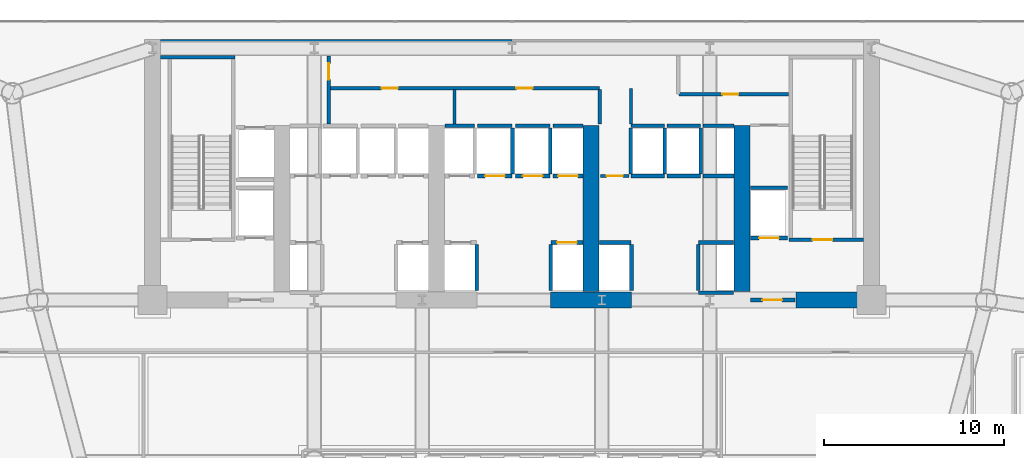
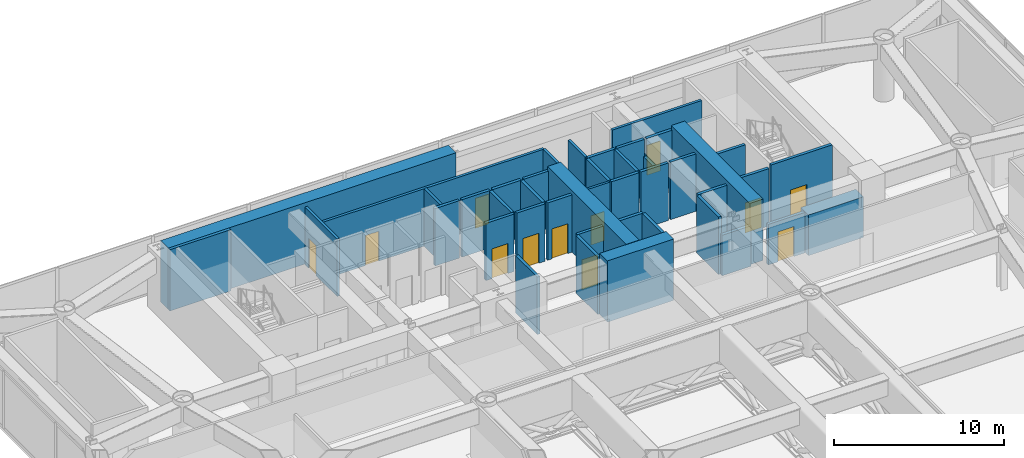
# One storey, part 16 of 21: 43 walls, 12 doors, 12 openings.
"""IFC4 building model written with IfcOpenShell, lengths in metres."""

from ifc_helpers import new_model, si_unit, direction, frame, frame_2d, origin, place, context, subcontext, project, spatial, rectangle, extrude, source, transform, mapped, material, layer, layer_set, type_object, element, fill, save


model = new_model("IFC4")

# Units and contexts
model_context = context("Model", 3, precision=1e-05, world=origin(), true_north=direction((0.0, 1.0)))
body_context = subcontext(model_context, "Body", "Model", "MODEL_VIEW")
ifc_project = project(units=[si_unit("LENGTHUNIT", "METRE"), si_unit("AREAUNIT", "SQUARE_METRE"), si_unit("VOLUMEUNIT", "CUBIC_METRE"), si_unit("PLANEANGLEUNIT", "RADIAN"), si_unit("MASSUNIT", "GRAM", prefix="KILO")], contexts=[model_context])

# Site, building, storey
site_placement = place(None, origin())
site = spatial("IfcSite", under=ifc_project, at=site_placement, CompositionType="ELEMENT")
building_placement = place(site_placement, origin())
building = spatial("IfcBuilding", under=site, at=building_placement, Name="Vaeldorn Concourse Tower", CompositionType="ELEMENT")
storey_placement = place(building_placement, frame((0.0, 0.0, 14.39990234375)))
storey = spatial("IfcBuildingStorey", under=building, at=storey_placement, Name="L03", CompositionType="ELEMENT", Elevation=14.39990234375)

# Walls
ifc_material_1 = material(Name="Concrete C60/75", Category="concrete")
ifc_layer_1 = layer(ifc_material_1, 0.89990234375)
ifc_layer_set_1 = layer_set([ifc_layer_1], Name="Concrete C60/75")
wall_type_1 = type_object("IfcWallType", Name="WL-CORE-900", PredefinedType="SHEAR", material=ifc_layer_set_1)
wall_1_placement = place(storey_placement, frame((14.4541015625, 50.550048828125, 0.0), z_axis=(0.0, 0.0, 1.0), x_axis=(1.0, 0.0, 0.0)))
element("IfcWall", 1, at=wall_1_placement, inside=storey, type_object=wall_type_1, Name="Rear Core Shear Wall L03 N1", PredefinedType="SHEAR", context=body_context, shape_type="SweptSolid", body=[
    extrude(rectangle(XDim=19.5439453125, YDim=0.89990234375, at=frame_2d((9.77197265625, 0.0))), origin(), (0.0, 0.0, 1.0), 4.400146484375),
])
wall_2_placement = place(storey_placement, frame((36.14990234375, 36.5, 0.0), z_axis=(0.0, 0.0, 1.0), x_axis=(1.0, 0.0, 0.0)))
element("IfcWall", 2, at=wall_2_placement, inside=storey, type_object=wall_type_1, Name="Rear Core Shear Wall L03 S3", PredefinedType="SHEAR", context=body_context, shape_type="SweptSolid", body=[
    extrude(rectangle(XDim=4.5, YDim=0.89990234375, at=frame_2d((2.25, 0.0))), origin(), (0.0, 0.0, 1.0), 4.400146484375),
])
wall_3_placement = place(storey_placement, frame((49.800048828125, 36.5, 0.0), z_axis=(0.0, 0.0, 1.0), x_axis=(1.0, 0.0, 0.0)))
element("IfcWall", 3, at=wall_3_placement, inside=storey, type_object=wall_type_1, Name="Rear Core Shear Wall L03 S4", PredefinedType="SHEAR", context=body_context, shape_type="SweptSolid", body=[
    extrude(rectangle(XDim=3.72998046875, YDim=0.89990234375, at=frame_2d((1.864990234375, 0.0))), origin(), (0.0, 0.0, 1.0), 2.920166015625),
])
for number, where, z_axis, x_axis, name in (
    (4, (38.39990234375, 36.969970703125, 0.0), (0.0, 0.0, 1.0), (0.0, 1.0, 0.0), "Rear Core Shear Wall L03 M3"),
    (5, (46.800048828125, 36.969970703125, 0.0), (0.0, 0.0, 1.0), (0.0, 1.0, 0.0), "Rear Core Shear Wall L03 M4"),
):
    element("IfcWall", number, at=place(storey_placement, frame(where, z_axis=z_axis, x_axis=x_axis)), inside=storey, type_object=wall_type_1, Name=name, PredefinedType="SHEAR", context=body_context, shape_type="SweptSolid", body=[
        extrude(rectangle(XDim=9.22998046875, YDim=0.89990234375, at=frame_2d((4.614990234375, 0.0))), origin(), (0.0, 0.0, 1.0), 4.400146484375),
    ])

# Wall, opening, door
ifc_material_2 = material(Name="Gypsum Board Partition", Category="gypsum")
ifc_layer_2 = layer(ifc_material_2, 0.14990234375)
ifc_layer_set_2 = layer_set([ifc_layer_2], Name="Gypsum Board Partition")
wall_type_2 = type_object("IfcWallType", Name="WL-PART-150", PredefinedType="PARTITIONING", material=ifc_layer_set_2)
wall_4_placement = place(storey_placement, frame((38.919921875, 43.39990234375, 0.0), z_axis=(0.0, 0.0, 1.0), x_axis=(1.0, 0.0, 0.0)))
wall_4 = element("IfcWall", 6, at=wall_4_placement, inside=storey, type_object=wall_type_2, Name="Interior Wall CW-L03-CCLINK", PredefinedType="PARTITIONING", context=body_context, shape_type="SweptSolid", body=[
    extrude(rectangle(XDim=1.60009765625, YDim=0.14990234375, at=frame_2d((0.800048828125, 0.0))), origin(), (0.0, 0.0, 1.0), 4.1201171875),
])
opening_1_placement = place(wall_4_placement, frame((0.35009765625, 0.0, 0.0)))
opening_1 = element("IfcOpeningElement", 7, at=opening_1_placement, cuts=wall_4, Name="Opening D-02", PredefinedType="OPENING", context=body_context, shape_type="SweptSolid", body=[
    extrude(rectangle(XDim=0.89990234375, YDim=2.10009765625, at=frame_2d((0.449951171875, 1.050048828125))), frame((0.0, 0.0849609375, 0.0), z_axis=(0.0, -1.0, 0.0), x_axis=(1.0, 0.0, 0.0)), (0.0, 0.0, 1.0), 0.169921875),
])
ifc_material_3 = material(Name="Fire-Rated Timber Leaf", Category="wood")
door_type_1 = type_object("IfcDoorType", Name="DR-FD30-900", OperationType="NOTDEFINED", PredefinedType="DOOR", material=ifc_material_3)
shared_shape_1 = source(origin(), body_context, "Body", "SweptSolid", [
    extrude(rectangle(XDim=0.89990234375, YDim=2.10009765625, at=frame_2d((0.449951171875, 1.050048828125))), frame((0.0, 0.02490234375, 0.0), z_axis=(0.0, -1.0, 0.0), x_axis=(1.0, 0.0, 0.0)), (0.0, 0.0, 1.0), 0.050048828125),
])
door_1_placement = place(opening_1_placement, origin())
door_1 = element("IfcDoor", 8, at=door_1_placement, inside=storey, type_object=door_type_1, Name="Interior Door DR-L03-CCLINK", OperationType="SINGLE_SWING_LEFT", OverallHeight=2.10009765625, OverallWidth=0.89990234375, PredefinedType="DOOR", context=body_context, shape_type="MappedRepresentation", body=[
    mapped(shared_shape_1, transform((0.0, 0.0, 0.0), scale=1.0)),
])
fill(opening_1, door_1)

# Wall, openings, doors
ifc_layer_3 = layer(ifc_material_2, 0.179931640625)
ifc_layer_set_3 = layer_set([ifc_layer_3], Name="Gypsum Board Partition")
wall_type_3 = type_object("IfcWallType", Name="WL-PLUMB-180", PredefinedType="PLUMBINGWALL", material=ifc_layer_set_3)
wall_5_placement = place(storey_placement, frame((23.85009765625, 48.280029296875, 0.0), z_axis=(0.0, 0.0, 1.0), x_axis=(1.0, 0.0, 0.0)))
wall_5 = element("IfcWall", 9, at=wall_5_placement, inside=storey, type_object=wall_type_3, Name="Interior Wall CW-L03-NS2W", PredefinedType="PLUMBINGWALL", context=body_context, shape_type="SweptSolid", body=[
    extrude(rectangle(XDim=15.02978515625, YDim=0.179931640625, at=frame_2d((7.514892578125, 0.0))), origin(), (0.0, 0.0, 1.0), 4.1201171875),
])
opening_2_placement = place(wall_5_placement, frame((2.89990234375, 0.0, 0.0)))
opening_2 = element("IfcOpeningElement", 10, at=opening_2_placement, cuts=wall_5, Name="Opening D-03", PredefinedType="OPENING", context=body_context, shape_type="SweptSolid", body=[
    extrude(rectangle(XDim=0.89990234375, YDim=2.14990234375, at=frame_2d((0.449951171875, 1.074951171875))), frame((0.0, 0.10009765625, 0.0), z_axis=(0.0, -1.0, 0.0), x_axis=(1.0, 0.0, 0.0)), (0.0, 0.0, 1.0), 0.199951171875),
])
opening_3_placement = place(wall_5_placement, frame((10.39990234375, 0.0, 0.0)))
opening_3 = element("IfcOpeningElement", 11, at=opening_3_placement, cuts=wall_5, Name="Opening D-03", PredefinedType="OPENING", context=body_context, shape_type="SweptSolid", body=[
    extrude(rectangle(XDim=0.89990234375, YDim=2.14990234375, at=frame_2d((0.449951171875, 1.074951171875))), frame((0.0, 0.10009765625, 0.0), z_axis=(0.0, -1.0, 0.0), x_axis=(1.0, 0.0, 0.0)), (0.0, 0.0, 1.0), 0.199951171875),
])
ifc_material_4 = material(Name="Acoustic Bronze-Framed Glass Door", Category="glass")
door_type_2 = type_object("IfcDoorType", Name="DR-INT-900", OperationType="NOTDEFINED", PredefinedType="DOOR", material=ifc_material_4)
shared_shape_2 = source(origin(), body_context, "Body", "SweptSolid", [
    extrude(rectangle(XDim=0.89990234375, YDim=2.14990234375, at=frame_2d((0.449951171875, 1.074951171875))), frame((0.0, 0.02490234375, 0.0), z_axis=(0.0, -1.0, 0.0), x_axis=(1.0, 0.0, 0.0)), (0.0, 0.0, 1.0), 0.050048828125),
])
door_2_placement = place(opening_2_placement, origin())
door_2 = element("IfcDoor", 12, at=door_2_placement, inside=storey, type_object=door_type_2, Name="Interior Door DR-L03-CS2", OperationType="SINGLE_SWING_RIGHT", OverallHeight=2.14990234375, OverallWidth=0.89990234375, PredefinedType="DOOR", context=body_context, shape_type="MappedRepresentation", body=[
    mapped(shared_shape_2, transform((0.0, 0.0, 0.0), scale=1.0)),
])
fill(opening_2, door_2)
door_3_placement = place(opening_3_placement, origin())
door_3 = element("IfcDoor", 13, at=door_3_placement, inside=storey, type_object=door_type_2, Name="Interior Door DR-L03-CS3", OperationType="SINGLE_SWING_LEFT", OverallHeight=2.14990234375, OverallWidth=0.89990234375, PredefinedType="DOOR", context=body_context, shape_type="MappedRepresentation", body=[
    mapped(shared_shape_2, transform((0.0, 0.0, 0.0), scale=1.0)),
])
fill(opening_3, door_3)

# Wall, opening, door
wall_6_placement = place(storey_placement, frame((23.800048828125, 46.280029296875, 0.0), z_axis=(0.0, 0.0, 1.0), x_axis=(0.0, 1.0, 0.0)))
wall_6 = element("IfcWall", 14, at=wall_6_placement, inside=storey, type_object=wall_type_3, Name="Interior Wall CW-L03-SDIV1", PredefinedType="PLUMBINGWALL", context=body_context, shape_type="SweptSolid", body=[
    extrude(rectangle(XDim=3.800048828125, YDim=0.179931640625, at=frame_2d((1.89990234375, 0.0))), origin(), (0.0, 0.0, 1.0), 4.1201171875),
])
opening_4_placement = place(wall_6_placement, frame((2.485107421875, 0.0, 0.0)))
opening_4 = element("IfcOpeningElement", 15, at=opening_4_placement, cuts=wall_6, Name="Opening D-03", PredefinedType="OPENING", context=body_context, shape_type="SweptSolid", body=[
    extrude(rectangle(XDim=0.89990234375, YDim=2.14990234375, at=frame_2d((0.449951171875, 1.074951171875))), frame((0.0, 0.10009765625, 0.0), z_axis=(0.0, -1.0, 0.0), x_axis=(1.0, 0.0, 0.0)), (0.0, 0.0, 1.0), 0.199951171875),
])
door_4_placement = place(opening_4_placement, origin())
door_4 = element("IfcDoor", 16, at=door_4_placement, inside=storey, type_object=door_type_2, Name="Interior Door DR-L03-CS1", OperationType="SINGLE_SWING_LEFT", OverallHeight=2.14990234375, OverallWidth=0.89990234375, PredefinedType="DOOR", context=body_context, shape_type="MappedRepresentation", body=[
    mapped(shared_shape_2, transform((0.0, 0.0, 0.0), scale=1.0)),
])
fill(opening_4, door_4)

# Walls
for number, where, z_axis, x_axis, name in (
    (17, (30.800048828125, 46.280029296875, 0.0), (0.0, 0.0, 1.0), (0.0, 1.0, 0.0), "Interior Wall CW-L03-SDIV2"),
    (18, (38.8798828125, 46.280029296875, 0.0), (0.0, 0.0, 1.0), (0.0, 1.0, 0.0), "Interior Wall CW-L03-SDIV4"),
):
    element("IfcWall", number, at=place(storey_placement, frame(where, z_axis=z_axis, x_axis=x_axis)), inside=storey, type_object=wall_type_3, Name=name, PredefinedType="PLUMBINGWALL", context=body_context, shape_type="SweptSolid", body=[
        extrude(rectangle(XDim=1.93994140625, YDim=0.179931640625, at=frame_2d((0.969970703125, 0.0))), origin(), (0.0, 0.0, 1.0), 4.1201171875),
    ])
wall_7_placement = place(storey_placement, frame((40.6201171875, 46.280029296875, 0.0), z_axis=(0.0, 0.0, 1.0), x_axis=(0.0, 1.0, 0.0)))
element("IfcWall", 19, at=wall_7_placement, inside=storey, type_object=wall_type_3, Name="Interior Wall CW-L03-SDIV5", PredefinedType="PLUMBINGWALL", context=body_context, shape_type="SweptSolid", body=[
    extrude(rectangle(XDim=2.0, YDim=0.179931640625, at=frame_2d((1.0, 0.0))), origin(), (0.0, 0.0, 1.0), 4.1201171875),
])

# Wall, opening, door
wall_8_placement = place(storey_placement, frame((43.300048828125, 47.949951171875, 0.0), z_axis=(0.0, 0.0, 1.0), x_axis=(1.0, 0.0, 0.0)))
wall_8 = element("IfcWall", 20, at=wall_8_placement, inside=storey, type_object=wall_type_3, Name="Interior Wall CW-L03-NS2EE", PredefinedType="PLUMBINGWALL", context=body_context, shape_type="SweptSolid", body=[
    extrude(rectangle(XDim=6.079833984375, YDim=0.179931640625, at=frame_2d((3.0400390625, 0.0))), origin(), (0.0, 0.0, 1.0), 4.1201171875),
])
opening_5_placement = place(wall_8_placement, frame((2.39990234375, 0.0, 0.0)))
opening_5 = element("IfcOpeningElement", 21, at=opening_5_placement, cuts=wall_8, Name="Opening D-03", PredefinedType="OPENING", context=body_context, shape_type="SweptSolid", body=[
    extrude(rectangle(XDim=0.89990234375, YDim=2.14990234375, at=frame_2d((0.449951171875, 1.074951171875))), frame((0.0, 0.10009765625, 0.0), z_axis=(0.0, -1.0, 0.0), x_axis=(1.0, 0.0, 0.0)), (0.0, 0.0, 1.0), 0.199951171875),
])
door_5_placement = place(opening_5_placement, origin())
door_5 = element("IfcDoor", 22, at=door_5_placement, inside=storey, type_object=door_type_2, Name="Interior Door DR-L03-CS5", OperationType="SINGLE_SWING_RIGHT", OverallHeight=2.14990234375, OverallWidth=0.89990234375, PredefinedType="DOOR", context=body_context, shape_type="MappedRepresentation", body=[
    mapped(shared_shape_2, transform((0.0, 0.0, 0.0), scale=1.0)),
])
fill(opening_5, door_5)

# Wall
ifc_material_5 = material(Name="Concrete C50/60", Category="concrete")
ifc_layer_4 = layer(ifc_material_5, 0.199951171875)
ifc_layer_set_4 = layer_set([ifc_layer_4], Name="Concrete C50/60")
wall_type_4 = type_object("IfcWallType", Name="WL-SHAFT-200", PredefinedType="SOLIDWALL", material=ifc_layer_set_4)
wall_9_placement = place(storey_placement, frame((14.449951171875, 50.0, 0.0), z_axis=(0.0, 0.0, 1.0), x_axis=(1.0, 0.0, 0.0)))
element("IfcWall", 23, at=wall_9_placement, inside=storey, type_object=wall_type_4, Name="Stair Shaft Wall CW-L03-ST-1-N", PredefinedType="SOLIDWALL", context=body_context, shape_type="SweptSolid", body=[
    extrude(rectangle(XDim=4.150146484375, YDim=0.199951171875, at=frame_2d((2.0751953125, 0.0))), origin(), (0.0, 0.0, 1.0), 4.400146484375),
])

# Wall, opening, door
wall_10_placement = place(storey_placement, frame((49.39990234375, 39.85009765625, 0.0), z_axis=(0.0, 0.0, 1.0), x_axis=(1.0, 0.0, 0.0)))
wall_10 = element("IfcWall", 24, at=wall_10_placement, inside=storey, type_object=wall_type_4, Name="Stair Shaft Wall CW-L03-ST-2-S", PredefinedType="SOLIDWALL", context=body_context, shape_type="SweptSolid", body=[
    extrude(rectangle(XDim=4.150146484375, YDim=0.199951171875, at=frame_2d((2.0751953125, 0.0))), origin(), (0.0, 0.0, 1.0), 4.400146484375),
])
opening_6_placement = place(wall_10_placement, frame((1.324951171875, 0.0, 0.0)))
opening_6 = element("IfcOpeningElement", 25, at=opening_6_placement, cuts=wall_10, Name="Opening D-01", PredefinedType="OPENING", context=body_context, shape_type="SweptSolid", body=[
    extrude(rectangle(XDim=1.10009765625, YDim=2.14990234375, at=frame_2d((0.550048828125, 1.074951171875))), frame((0.0, 0.10986328125, 0.0), z_axis=(0.0, -1.0, 0.0), x_axis=(1.0, 0.0, 0.0)), (0.0, 0.0, 1.0), 0.219970703125),
])
ifc_material_6 = material(Name="Fire-Rated Timber and Steel Leaf", Category="steel")
door_type_3 = type_object("IfcDoorType", Name="DR-FD60-1100", OperationType="NOTDEFINED", PredefinedType="DOOR", material=ifc_material_6)
shared_shape_3 = source(origin(), body_context, "Body", "SweptSolid", [
    extrude(rectangle(XDim=1.10009765625, YDim=2.14990234375, at=frame_2d((0.550048828125, 1.074951171875))), frame((0.0, 0.02490234375, 0.0), z_axis=(0.0, -1.0, 0.0), x_axis=(1.0, 0.0, 0.0)), (0.0, 0.0, 1.0), 0.050048828125),
])
door_6_placement = place(opening_6_placement, origin())
door_6 = element("IfcDoor", 26, at=door_6_placement, inside=storey, type_object=door_type_3, Name="Interior Door DR-L03-ST-2", OperationType="SINGLE_SWING_RIGHT", OverallHeight=2.14990234375, OverallWidth=1.10009765625, PredefinedType="DOOR", context=body_context, shape_type="MappedRepresentation", body=[
    mapped(shared_shape_3, transform((0.0, 0.0, 0.0), scale=1.0)),
])
fill(opening_6, door_6)

wall_11_placement = place(storey_placement, frame((47.280029296875, 36.5, 0.0), z_axis=(0.0, 0.0, 1.0), x_axis=(1.0, 0.0, 0.0)))
wall_11 = element("IfcWall", 27, at=wall_11_placement, inside=storey, type_object=wall_type_4, Name="Interior Wall CW-L03-FF2S", PredefinedType="SOLIDWALL", context=body_context, shape_type="SweptSolid", body=[
    extrude(rectangle(XDim=2.469970703125, YDim=0.199951171875, at=frame_2d((1.23486328125, 0.0))), origin(), (0.0, 0.0, 1.0), 2.91015625),
])
opening_7_placement = place(wall_11_placement, frame((0.64990234375, 0.0, 0.0)))
opening_7 = element("IfcOpeningElement", 28, at=opening_7_placement, cuts=wall_11, Name="Opening D-01", PredefinedType="OPENING", context=body_context, shape_type="SweptSolid", body=[
    extrude(rectangle(XDim=1.10009765625, YDim=2.14990234375, at=frame_2d((0.550048828125, 1.074951171875))), frame((0.0, 0.10986328125, 0.0), z_axis=(0.0, -1.0, 0.0), x_axis=(1.0, 0.0, 0.0)), (0.0, 0.0, 1.0), 0.219970703125),
])
door_7_placement = place(opening_7_placement, origin())
door_7 = element("IfcDoor", 29, at=door_7_placement, inside=storey, type_object=door_type_3, Name="Interior Door DR-L03-FF2W", OperationType="SINGLE_SWING_LEFT", OverallHeight=2.14990234375, OverallWidth=1.10009765625, PredefinedType="DOOR", context=body_context, shape_type="MappedRepresentation", body=[
    mapped(shared_shape_3, transform((0.0, 0.0, 0.0), scale=1.0)),
])
fill(opening_7, door_7)

# Wall
wall_12_placement = place(storey_placement, frame((32.050048828125, 37.02001953125, 0.0), z_axis=(0.0, 0.0, 1.0), x_axis=(0.0, 1.0, 0.0)))
element("IfcWall", 30, at=wall_12_placement, inside=storey, type_object=wall_type_4, Name="Interior Wall CW-L03-LFE-LF-07", PredefinedType="SOLIDWALL", context=body_context, shape_type="SweptSolid", body=[
    extrude(rectangle(XDim=2.56005859375, YDim=0.199951171875, at=frame_2d((1.280029296875, 0.0))), origin(), (0.0, 0.0, 1.0), 4.1201171875),
])

# Wall, opening, door
wall_13_placement = place(storey_placement, frame((36.169921875, 39.699951171875, 0.0), z_axis=(0.0, 0.0, 1.0), x_axis=(1.0, 0.0, 0.0)))
wall_13 = element("IfcWall", 31, at=wall_13_placement, inside=storey, type_object=wall_type_4, Name="Interior Wall CW-L03-LF-LF-08", PredefinedType="SOLIDWALL", context=body_context, shape_type="SweptSolid", body=[
    extrude(rectangle(XDim=1.77001953125, YDim=0.199951171875, at=frame_2d((0.885009765625, 0.0))), origin(), (0.0, 0.0, 1.0), 4.1201171875),
])
opening_8_placement = place(wall_13_placement, frame((0.3349609375, 0.0, 0.0)))
opening_8 = element("IfcOpeningElement", 32, at=opening_8_placement, cuts=wall_13, Name="Opening LD-1", PredefinedType="OPENING", context=body_context, shape_type="SweptSolid", body=[
    extrude(rectangle(XDim=1.10009765625, YDim=2.14990234375, at=frame_2d((0.550048828125, 1.074951171875))), frame((0.0, 0.10986328125, 0.0), z_axis=(0.0, -1.0, 0.0), x_axis=(1.0, 0.0, 0.0)), (0.0, 0.0, 1.0), 0.219970703125),
])
ifc_material_7 = material(Name="Anodised Bronze Aluminium", Category="aluminium")
door_type_4 = type_object("IfcDoorType", Name="DR-LIFT-SLIDE-1100", OperationType="DOUBLE_DOOR_SLIDING", PredefinedType="DOOR", material=ifc_material_7)
door_8_placement = place(opening_8_placement, origin())
door_8 = element("IfcDoor", 33, at=door_8_placement, inside=storey, type_object=door_type_4, Name="Lift Landing Door LD-L03-LF-08", OperationType="DOUBLE_DOOR_SLIDING", OverallHeight=2.14990234375, OverallWidth=1.10009765625, PredefinedType="DOOR", context=body_context, shape_type="MappedRepresentation", body=[
    mapped(shared_shape_3, transform((0.0, 0.0, 0.0), scale=1.0)),
])
fill(opening_8, door_8)

# Walls
wall_14_placement = place(storey_placement, frame((36.14990234375, 37.02001953125, 0.0), z_axis=(0.0, 0.0, 1.0), x_axis=(0.0, 1.0, 0.0)))
element("IfcWall", 34, at=wall_14_placement, inside=storey, type_object=wall_type_4, Name="Interior Wall CW-L03-LFW-LF-08", PredefinedType="SOLIDWALL", context=body_context, shape_type="SweptSolid", body=[
    extrude(rectangle(XDim=2.56005859375, YDim=0.199951171875, at=frame_2d((1.280029296875, 0.0))), origin(), (0.0, 0.0, 1.0), 4.1201171875),
])
wall_15_placement = place(storey_placement, frame((30.260009765625, 46.199951171875, 0.0), z_axis=(0.0, 0.0, 1.0), x_axis=(1.0, 0.0, 0.0)))
element("IfcWall", 35, at=wall_15_placement, inside=storey, type_object=wall_type_4, Name="Interior Wall CW-L03-LFB-LF-09", PredefinedType="SOLIDWALL", context=body_context, shape_type="SweptSolid", body=[
    extrude(rectangle(XDim=1.64990234375, YDim=0.199951171875, at=frame_2d((0.824951171875, 0.0))), origin(), (0.0, 0.0, 1.0), 4.1201171875),
])

# Wall, opening, door
wall_16_placement = place(storey_placement, frame((32.090087890625, 43.39990234375, 0.0), z_axis=(0.0, 0.0, 1.0), x_axis=(1.0, 0.0, 0.0)))
wall_16 = element("IfcWall", 36, at=wall_16_placement, inside=storey, type_object=wall_type_4, Name="Interior Wall CW-L03-LF-LF-10", PredefinedType="SOLIDWALL", context=body_context, shape_type="SweptSolid", body=[
    extrude(rectangle(XDim=1.919921875, YDim=0.199951171875, at=frame_2d((0.9599609375, 0.0))), origin(), (0.0, 0.0, 1.0), 4.1201171875),
])
opening_9_placement = place(wall_16_placement, frame((0.409912109375, 0.0, 0.0)))
opening_9 = element("IfcOpeningElement", 37, at=opening_9_placement, cuts=wall_16, Name="Opening LD-1", PredefinedType="OPENING", context=body_context, shape_type="SweptSolid", body=[
    extrude(rectangle(XDim=1.10009765625, YDim=2.14990234375, at=frame_2d((0.550048828125, 1.074951171875))), frame((0.0, 0.10986328125, 0.0), z_axis=(0.0, -1.0, 0.0), x_axis=(1.0, 0.0, 0.0)), (0.0, 0.0, 1.0), 0.219970703125),
])
door_9_placement = place(opening_9_placement, origin())
door_9 = element("IfcDoor", 38, at=door_9_placement, inside=storey, type_object=door_type_4, Name="Lift Landing Door LD-L03-LF-10", OperationType="DOUBLE_DOOR_SLIDING", OverallHeight=2.14990234375, OverallWidth=1.10009765625, PredefinedType="DOOR", context=body_context, shape_type="MappedRepresentation", body=[
    mapped(shared_shape_3, transform((0.0, 0.0, 0.0), scale=1.0)),
])
fill(opening_9, door_9)

# Walls
wall_17_placement = place(storey_placement, frame((32.090087890625, 46.199951171875, 0.0), z_axis=(0.0, 0.0, 1.0), x_axis=(1.0, 0.0, 0.0)))
element("IfcWall", 39, at=wall_17_placement, inside=storey, type_object=wall_type_4, Name="Interior Wall CW-L03-LFB-LF-10", PredefinedType="SOLIDWALL", context=body_context, shape_type="SweptSolid", body=[
    extrude(rectangle(XDim=1.919921875, YDim=0.199951171875, at=frame_2d((0.9599609375, 0.0))), origin(), (0.0, 0.0, 1.0), 4.1201171875),
])
wall_18_placement = place(storey_placement, frame((34.030029296875, 43.52001953125, 0.0), z_axis=(0.0, 0.0, 1.0), x_axis=(0.0, 1.0, 0.0)))
element("IfcWall", 40, at=wall_18_placement, inside=storey, type_object=wall_type_4, Name="Interior Wall CW-L03-LFE-LF-10", PredefinedType="SOLIDWALL", context=body_context, shape_type="SweptSolid", body=[
    extrude(rectangle(XDim=2.56005859375, YDim=0.199951171875, at=frame_2d((1.280029296875, 0.0))), origin(), (0.0, 0.0, 1.0), 4.1201171875),
])

# Wall, opening, door
wall_19_placement = place(storey_placement, frame((34.18994140625, 43.39990234375, 0.0), z_axis=(0.0, 0.0, 1.0), x_axis=(1.0, 0.0, 0.0)))
wall_19 = element("IfcWall", 41, at=wall_19_placement, inside=storey, type_object=wall_type_4, Name="Interior Wall CW-L03-LF-LF-11", PredefinedType="SOLIDWALL", context=body_context, shape_type="SweptSolid", body=[
    extrude(rectangle(XDim=1.920166015625, YDim=0.199951171875, at=frame_2d((0.9599609375, 0.0))), origin(), (0.0, 0.0, 1.0), 4.1201171875),
])
opening_10_placement = place(wall_19_placement, frame((0.409912109375, 0.0, 0.0)))
opening_10 = element("IfcOpeningElement", 42, at=opening_10_placement, cuts=wall_19, Name="Opening LD-1", PredefinedType="OPENING", context=body_context, shape_type="SweptSolid", body=[
    extrude(rectangle(XDim=1.10009765625, YDim=2.14990234375, at=frame_2d((0.550048828125, 1.074951171875))), frame((0.0, 0.10986328125, 0.0), z_axis=(0.0, -1.0, 0.0), x_axis=(1.0, 0.0, 0.0)), (0.0, 0.0, 1.0), 0.219970703125),
])
door_10_placement = place(opening_10_placement, origin())
door_10 = element("IfcDoor", 43, at=door_10_placement, inside=storey, type_object=door_type_4, Name="Lift Landing Door LD-L03-LF-11", OperationType="DOUBLE_DOOR_SLIDING", OverallHeight=2.14990234375, OverallWidth=1.10009765625, PredefinedType="DOOR", context=body_context, shape_type="MappedRepresentation", body=[
    mapped(shared_shape_3, transform((0.0, 0.0, 0.0), scale=1.0)),
])
fill(opening_10, door_10)

# Walls
wall_20_placement = place(storey_placement, frame((34.18994140625, 46.199951171875, 0.0), z_axis=(0.0, 0.0, 1.0), x_axis=(1.0, 0.0, 0.0)))
element("IfcWall", 44, at=wall_20_placement, inside=storey, type_object=wall_type_4, Name="Interior Wall CW-L03-LFB-LF-11", PredefinedType="SOLIDWALL", context=body_context, shape_type="SweptSolid", body=[
    extrude(rectangle(XDim=1.920166015625, YDim=0.199951171875, at=frame_2d((0.9599609375, 0.0))), origin(), (0.0, 0.0, 1.0), 4.1201171875),
])
wall_21_placement = place(storey_placement, frame((36.1298828125, 43.52001953125, 0.0), z_axis=(0.0, 0.0, 1.0), x_axis=(0.0, 1.0, 0.0)))
element("IfcWall", 45, at=wall_21_placement, inside=storey, type_object=wall_type_4, Name="Interior Wall CW-L03-LFE-LF-11", PredefinedType="SOLIDWALL", context=body_context, shape_type="SweptSolid", body=[
    extrude(rectangle(XDim=2.56005859375, YDim=0.199951171875, at=frame_2d((1.280029296875, 0.0))), origin(), (0.0, 0.0, 1.0), 4.1201171875),
])

# Wall, opening, door
wall_22_placement = place(storey_placement, frame((36.2900390625, 43.39990234375, 0.0), z_axis=(0.0, 0.0, 1.0), x_axis=(1.0, 0.0, 0.0)))
wall_22 = element("IfcWall", 46, at=wall_22_placement, inside=storey, type_object=wall_type_4, Name="Interior Wall CW-L03-LF-LF-12", PredefinedType="SOLIDWALL", context=body_context, shape_type="SweptSolid", body=[
    extrude(rectangle(XDim=1.64990234375, YDim=0.199951171875, at=frame_2d((0.824951171875, 0.0))), origin(), (0.0, 0.0, 1.0), 4.1201171875),
])
opening_11_placement = place(wall_22_placement, frame((0.27490234375, 0.0, 0.0)))
opening_11 = element("IfcOpeningElement", 47, at=opening_11_placement, cuts=wall_22, Name="Opening LD-1", PredefinedType="OPENING", context=body_context, shape_type="SweptSolid", body=[
    extrude(rectangle(XDim=1.10009765625, YDim=2.14990234375, at=frame_2d((0.550048828125, 1.074951171875))), frame((0.0, 0.10986328125, 0.0), z_axis=(0.0, -1.0, 0.0), x_axis=(1.0, 0.0, 0.0)), (0.0, 0.0, 1.0), 0.219970703125),
])
door_11_placement = place(opening_11_placement, origin())
door_11 = element("IfcDoor", 48, at=door_11_placement, inside=storey, type_object=door_type_4, Name="Lift Landing Door LD-L03-LF-12", OperationType="DOUBLE_DOOR_SLIDING", OverallHeight=2.14990234375, OverallWidth=1.10009765625, PredefinedType="DOOR", context=body_context, shape_type="MappedRepresentation", body=[
    mapped(shared_shape_3, transform((0.0, 0.0, 0.0), scale=1.0)),
])
fill(opening_11, door_11)

# Walls
wall_23_placement = place(storey_placement, frame((36.2900390625, 46.199951171875, 0.0), z_axis=(0.0, 0.0, 1.0), x_axis=(1.0, 0.0, 0.0)))
element("IfcWall", 49, at=wall_23_placement, inside=storey, type_object=wall_type_4, Name="Interior Wall CW-L03-LFB-LF-12", PredefinedType="SOLIDWALL", context=body_context, shape_type="SweptSolid", body=[
    extrude(rectangle(XDim=1.64990234375, YDim=0.199951171875, at=frame_2d((0.824951171875, 0.0))), origin(), (0.0, 0.0, 1.0), 4.1201171875),
])
wall_24_placement = place(storey_placement, frame((38.860107421875, 39.699951171875, 0.0), z_axis=(0.0, 0.0, 1.0), x_axis=(1.0, 0.0, 0.0)))
element("IfcWall", 50, at=wall_24_placement, inside=storey, type_object=wall_type_4, Name="Interior Wall CW-L03-LF-LF-13", PredefinedType="SOLIDWALL", context=body_context, shape_type="SweptSolid", body=[
    extrude(rectangle(XDim=1.769775390625, YDim=0.199951171875, at=frame_2d((0.884765625, 0.0))), origin(), (0.0, 0.0, 1.0), 4.1201171875),
])
wall_25_placement = place(storey_placement, frame((40.64990234375, 37.02001953125, 0.0), z_axis=(0.0, 0.0, 1.0), x_axis=(0.0, 1.0, 0.0)))
element("IfcWall", 51, at=wall_25_placement, inside=storey, type_object=wall_type_4, Name="Interior Wall CW-L03-LFE-LF-13", PredefinedType="SOLIDWALL", context=body_context, shape_type="SweptSolid", body=[
    extrude(rectangle(XDim=2.56005859375, YDim=0.199951171875, at=frame_2d((1.280029296875, 0.0))), origin(), (0.0, 0.0, 1.0), 4.1201171875),
])
wall_26_placement = place(storey_placement, frame((44.3701171875, 39.699951171875, 0.0), z_axis=(0.0, 0.0, 1.0), x_axis=(1.0, 0.0, 0.0)))
element("IfcWall", 52, at=wall_26_placement, inside=storey, type_object=wall_type_4, Name="Interior Wall CW-L03-LF-LF-14", PredefinedType="SOLIDWALL", context=body_context, shape_type="SweptSolid", body=[
    extrude(rectangle(XDim=1.9599609375, YDim=0.199951171875, at=frame_2d((0.97998046875, 0.0))), origin(), (0.0, 0.0, 1.0), 4.1201171875),
])
wall_27_placement = place(storey_placement, frame((44.3701171875, 36.89990234375, 0.0), z_axis=(0.0, 0.0, 1.0), x_axis=(1.0, 0.0, 0.0)))
element("IfcWall", 53, at=wall_27_placement, inside=storey, type_object=wall_type_4, Name="Interior Wall CW-L03-LFB-LF-14", PredefinedType="SOLIDWALL", context=body_context, shape_type="SweptSolid", body=[
    extrude(rectangle(XDim=1.9599609375, YDim=0.199951171875, at=frame_2d((0.97998046875, 0.0))), origin(), (0.0, 0.0, 1.0), 2.91015625),
])
wall_28_placement = place(storey_placement, frame((44.35009765625, 37.02001953125, 0.0), z_axis=(0.0, 0.0, 1.0), x_axis=(0.0, 1.0, 0.0)))
element("IfcWall", 54, at=wall_28_placement, inside=storey, type_object=wall_type_4, Name="Interior Wall CW-L03-LFW-LF-14", PredefinedType="SOLIDWALL", context=body_context, shape_type="SweptSolid", body=[
    extrude(rectangle(XDim=2.56005859375, YDim=0.199951171875, at=frame_2d((1.280029296875, 0.0))), origin(), (0.0, 0.0, 1.0), 4.1201171875),
])
for number, where, z_axis, x_axis, name in (
    (55, (40.6201171875, 43.39990234375, 0.0), (0.0, 0.0, 1.0), (1.0, 0.0, 0.0), "Interior Wall CW-L03-LF-LF-15"),
    (56, (40.6201171875, 46.199951171875, 0.0), (0.0, 0.0, 1.0), (1.0, 0.0, 0.0), "Interior Wall CW-L03-LFB-LF-15"),
):
    element("IfcWall", number, at=place(storey_placement, frame(where, z_axis=z_axis, x_axis=x_axis)), inside=storey, type_object=wall_type_4, Name=name, PredefinedType="SOLIDWALL", context=body_context, shape_type="SweptSolid", body=[
        extrude(rectangle(XDim=1.85986328125, YDim=0.199951171875, at=frame_2d((0.929931640625, 0.0))), origin(), (0.0, 0.0, 1.0), 4.1201171875),
    ])
for number, where, z_axis, x_axis, name in (
    (57, (40.60009765625, 43.52001953125, 0.0), (0.0, 0.0, 1.0), (0.0, 1.0, 0.0), "Interior Wall CW-L03-LFW-LF-15"),
    (58, (42.5, 43.52001953125, 0.0), (0.0, 0.0, 1.0), (0.0, 1.0, 0.0), "Interior Wall CW-L03-LFE-LF-15"),
):
    element("IfcWall", number, at=place(storey_placement, frame(where, z_axis=z_axis, x_axis=x_axis)), inside=storey, type_object=wall_type_4, Name=name, PredefinedType="SOLIDWALL", context=body_context, shape_type="SweptSolid", body=[
        extrude(rectangle(XDim=2.56005859375, YDim=0.199951171875, at=frame_2d((1.280029296875, 0.0))), origin(), (0.0, 0.0, 1.0), 4.1201171875),
    ])
for number, where, z_axis, x_axis, name in (
    (59, (42.6201171875, 43.39990234375, 0.0), (0.0, 0.0, 1.0), (1.0, 0.0, 0.0), "Interior Wall CW-L03-LF-LF-16"),
    (60, (42.6201171875, 46.199951171875, 0.0), (0.0, 0.0, 1.0), (1.0, 0.0, 0.0), "Interior Wall CW-L03-LFB-LF-16"),
):
    element("IfcWall", number, at=place(storey_placement, frame(where, z_axis=z_axis, x_axis=x_axis)), inside=storey, type_object=wall_type_4, Name=name, PredefinedType="SOLIDWALL", context=body_context, shape_type="SweptSolid", body=[
        extrude(rectangle(XDim=1.85986328125, YDim=0.199951171875, at=frame_2d((0.929931640625, 0.0))), origin(), (0.0, 0.0, 1.0), 4.1201171875),
    ])
wall_29_placement = place(storey_placement, frame((44.5, 43.52001953125, 0.0), z_axis=(0.0, 0.0, 1.0), x_axis=(0.0, 1.0, 0.0)))
element("IfcWall", 61, at=wall_29_placement, inside=storey, type_object=wall_type_4, Name="Interior Wall CW-L03-LFE-LF-16", PredefinedType="SOLIDWALL", context=body_context, shape_type="SweptSolid", body=[
    extrude(rectangle(XDim=2.56005859375, YDim=0.199951171875, at=frame_2d((1.280029296875, 0.0))), origin(), (0.0, 0.0, 1.0), 2.91015625),
])
for number, where, z_axis, x_axis, name in (
    (62, (44.6201171875, 43.39990234375, 0.0), (0.0, 0.0, 1.0), (1.0, 0.0, 0.0), "Interior Wall CW-L03-LF-LF-17"),
    (63, (44.6201171875, 46.199951171875, 0.0), (0.0, 0.0, 1.0), (1.0, 0.0, 0.0), "Interior Wall CW-L03-LFB-LF-17"),
):
    element("IfcWall", number, at=place(storey_placement, frame(where, z_axis=z_axis, x_axis=x_axis)), inside=storey, type_object=wall_type_4, Name=name, PredefinedType="SOLIDWALL", context=body_context, shape_type="SweptSolid", body=[
        extrude(rectangle(XDim=1.719970703125, YDim=0.199951171875, at=frame_2d((0.85986328125, 0.0))), origin(), (0.0, 0.0, 1.0), 4.1201171875),
    ])

# Wall, opening, door
wall_30_placement = place(storey_placement, frame((47.260009765625, 39.949951171875, 0.0), z_axis=(0.0, 0.0, 1.0), x_axis=(1.0, 0.0, 0.0)))
wall_30 = element("IfcWall", 64, at=wall_30_placement, inside=storey, type_object=wall_type_4, Name="Interior Wall CW-L03-LF-LF-FF2", PredefinedType="SOLIDWALL", context=body_context, shape_type="SweptSolid", body=[
    extrude(rectangle(XDim=2.070068359375, YDim=0.199951171875, at=frame_2d((1.03515625, 0.0))), origin(), (0.0, 0.0, 1.0), 4.1201171875),
])
opening_12_placement = place(wall_30_placement, frame((0.485107421875, 0.0, 0.0)))
opening_12 = element("IfcOpeningElement", 65, at=opening_12_placement, cuts=wall_30, Name="Opening LD-1", PredefinedType="OPENING", context=body_context, shape_type="SweptSolid", body=[
    extrude(rectangle(XDim=1.10009765625, YDim=2.14990234375, at=frame_2d((0.550048828125, 1.074951171875))), frame((0.0, 0.10986328125, 0.0), z_axis=(0.0, -1.0, 0.0), x_axis=(1.0, 0.0, 0.0)), (0.0, 0.0, 1.0), 0.219970703125),
])
door_12_placement = place(opening_12_placement, origin())
door_12 = element("IfcDoor", 66, at=door_12_placement, inside=storey, type_object=door_type_4, Name="Lift Landing Door LD-L03-LF-FF2", OperationType="DOUBLE_DOOR_SLIDING", OverallHeight=2.14990234375, OverallWidth=1.10009765625, PredefinedType="DOOR", context=body_context, shape_type="MappedRepresentation", body=[
    mapped(shared_shape_3, transform((0.0, 0.0, 0.0), scale=1.0)),
])
fill(opening_12, door_12)

# Wall
wall_31_placement = place(storey_placement, frame((47.260009765625, 42.75, 0.0), z_axis=(0.0, 0.0, 1.0), x_axis=(1.0, 0.0, 0.0)))
element("IfcWall", 67, at=wall_31_placement, inside=storey, type_object=wall_type_4, Name="Interior Wall CW-L03-LFB-LF-FF2", PredefinedType="SOLIDWALL", context=body_context, shape_type="SweptSolid", body=[
    extrude(rectangle(XDim=2.070068359375, YDim=0.199951171875, at=frame_2d((1.03515625, 0.0))), origin(), (0.0, 0.0, 1.0), 4.1201171875),
])

save(model, "model.ifc")
